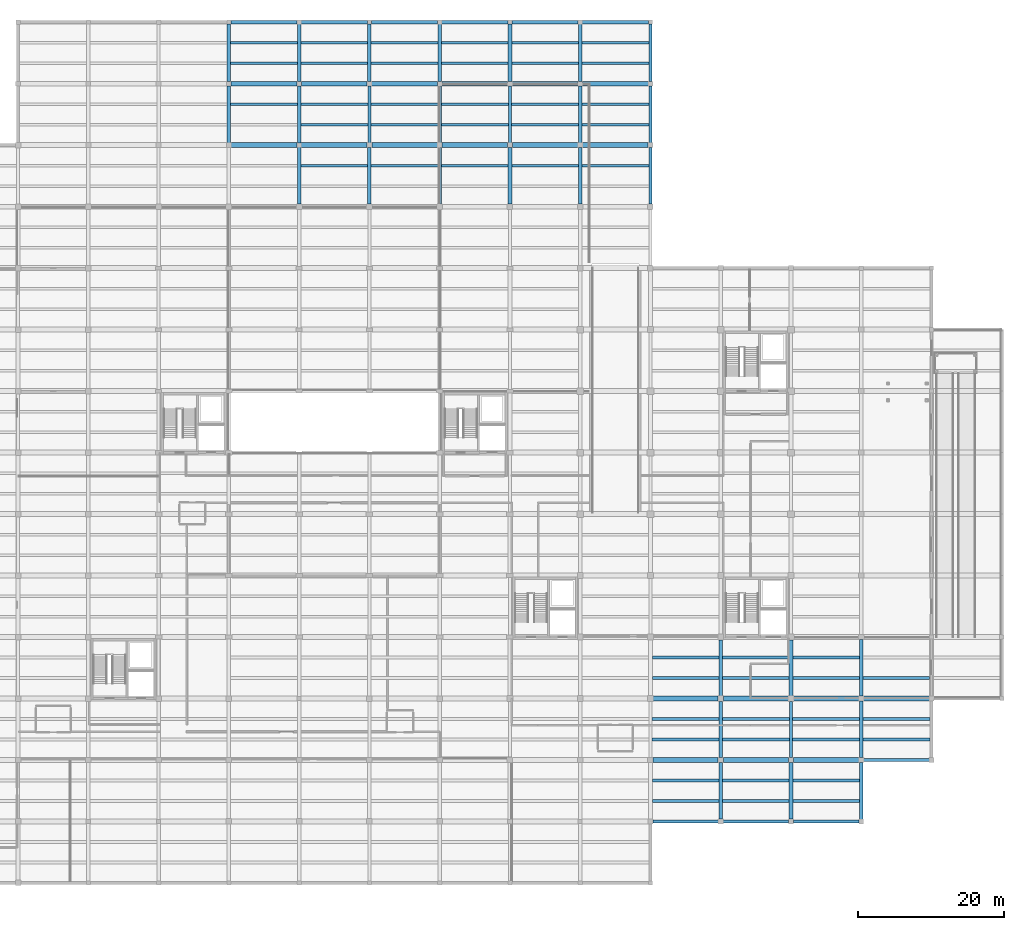
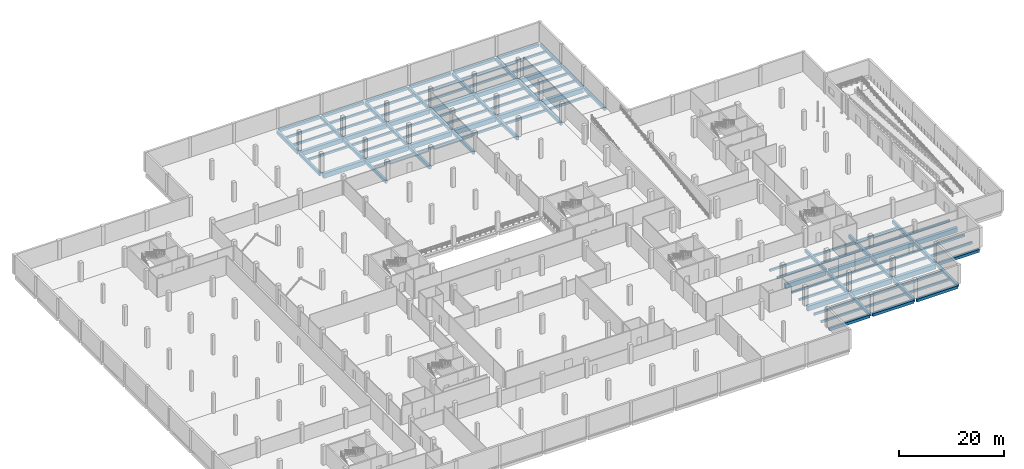
# One storey, part 11 of 30: 107 beams.
"""IFC4 building model written with IfcOpenShell, lengths in metres."""

import ifcopenshell
import ifcopenshell.guid

model = None  # the IFC model being written
_history = None  # IfcOwnerHistory: only IFC2X3 demands one
_inside = {}  # id of a spatial element -> (the spatial element, [elements in it])
_under = {}  # id of a project, library or spatial element -> (it, [spatial elements below it])
_declared = {}  # id of a project -> (the project, [libraries it declares])
_typed = {}  # id of a type object -> (the type object, [elements of that type])
_made_of = {}  # id of a material, layer set ... -> (it, [elements and type objects made of it])


def new_model(schema):
    """Start an empty IFC model of exactly this schema.

    Asked for "IFC4X3", IfcOpenShell would pick the latest addendum, in which some entities
    have other attributes; the version numbers below select the first issue.
    IFC2X3 requires an IfcOwnerHistory on every rooted entity: one is made here for all.
    """
    global model, _history
    if schema == "IFC4X3":
        model = ifcopenshell.file(schema_version=(4, 3, 0, 0))
    else:
        model = ifcopenshell.file(schema=schema)
    _inside.clear()
    _under.clear()
    _declared.clear()
    _typed.clear()
    _made_of.clear()
    _history = None
    if model.schema == "IFC2X3":
        org = make("IfcOrganization", Name="unknown")
        user = make(
            "IfcPersonAndOrganization",
            ThePerson=make("IfcPerson", FamilyName="unknown"),
            TheOrganization=org,
        )
        app = make(
            "IfcApplication",
            ApplicationDeveloper=org,
            Version="unknown",
            ApplicationFullName="unknown",
            ApplicationIdentifier="unknown",
        )
        _history = make(
            "IfcOwnerHistory",
            OwningUser=user,
            OwningApplication=app,
            ChangeAction="ADDED",
            CreationDate=0,
        )
    return model


def make(cls, **values):
    """One entity of the class cls with the attributes given. An attribute that is None is left unset."""
    return model.create_entity(
        cls, **{name: value for name, value in values.items() if value is not None}
    )


def rooted(cls, **values):
    """An entity with a GlobalId (a new one), such as an element, a storey or a relation."""
    return make(cls, GlobalId=ifcopenshell.guid.new(), OwnerHistory=_history, **values)


def si_unit(unit_type, name, prefix=None):
    """IfcSIUnit, for example si_unit("LENGTHUNIT", "METRE", prefix="MILLI")."""
    return make("IfcSIUnit", UnitType=unit_type, Prefix=prefix, Name=name)


def assignment(units):
    """IfcUnitAssignment: the units of a project."""
    return None if units is None else make("IfcUnitAssignment", Units=units)


def point(xyz):
    """IfcCartesianPoint."""
    return None if xyz is None else make("IfcCartesianPoint", Coordinates=xyz)


def direction(xyz):
    """IfcDirection."""
    return None if xyz is None else make("IfcDirection", DirectionRatios=xyz)


def frame(location, z_axis=None, x_axis=None):
    """IfcAxis2Placement3D, a coordinate frame: its origin and axes. An axis left out is left unset."""
    return make(
        "IfcAxis2Placement3D",
        Location=point(location),
        Axis=direction(z_axis),
        RefDirection=direction(x_axis),
    )


def frame_2d(location, x_axis=None):
    """IfcAxis2Placement2D, a coordinate frame in the plane: its origin and x axis."""
    return make(
        "IfcAxis2Placement2D", Location=point(location), RefDirection=direction(x_axis)
    )


def origin():
    """The frame at (0, 0, 0) with its axes left unset."""
    return frame((0.0, 0.0, 0.0))


def origin_2d():
    """The frame at (0, 0) in the plane with its x axis left unset."""
    return frame_2d((0.0, 0.0))


def place(relative_to, where):
    """IfcLocalPlacement: puts the frame where relative to a parent placement (None: the world)."""
    return make(
        "IfcLocalPlacement", PlacementRelTo=relative_to, RelativePlacement=where
    )


def context(
    kind, dimensions, precision=None, world=None, true_north=None, identifier=None
):
    """IfcGeometricRepresentationContext, for example the 3D "Model" context."""
    return make(
        "IfcGeometricRepresentationContext",
        ContextIdentifier=identifier,
        ContextType=kind,
        CoordinateSpaceDimension=dimensions,
        Precision=precision,
        WorldCoordinateSystem=world,
        TrueNorth=true_north,
    )


def subcontext(parent, identifier, kind, view, scale=None):
    """IfcGeometricRepresentationSubContext, for example "Body" below "Model"."""
    return make(
        "IfcGeometricRepresentationSubContext",
        ContextIdentifier=identifier,
        ContextType=kind,
        ParentContext=parent,
        TargetScale=scale,
        TargetView=view,
    )


def project(units=None, contexts=None):
    """IfcProject with its units and contexts."""
    return rooted(
        "IfcProject",
        Name="project",
        RepresentationContexts=contexts,
        UnitsInContext=assignment(units),
    )


def spatial(cls, under=None, at=None, **own):
    """A site, building, storey or space (cls), placed at a placement, below another one or the project."""
    s = rooted(cls, ObjectPlacement=at, **own)
    if under is not None:
        _under.setdefault(under.id(), (under, []))[1].append(s)
    return s


def profile(cls, at=None, kind="AREA", **sizes):
    """A parametric profile (cls). Its sizes go by their IFC names, for example OverallWidth=200.0."""
    return make(cls, ProfileType=kind, Position=at, **sizes)


def rectangle(**sizes):
    """IfcRectangleProfileDef."""
    return profile("IfcRectangleProfileDef", **sizes)


def extrude(swept, where, along, depth):
    """IfcExtrudedAreaSolid: the profile swept, set in the frame where, extruded along a direction by depth."""
    return make(
        "IfcExtrudedAreaSolid",
        SweptArea=swept,
        Position=where,
        ExtrudedDirection=direction(along),
        Depth=depth,
    )


def shape(context_of_items, identifier, shape_type, items):
    """IfcShapeRepresentation: the items that make up one representation, for example the "Body"."""
    return make(
        "IfcShapeRepresentation",
        ContextOfItems=context_of_items,
        RepresentationIdentifier=identifier,
        RepresentationType=shape_type,
        Items=items,
    )


def material(Name=None, Category=None):
    """IfcMaterial."""
    return make("IfcMaterial", Name=Name, Category=Category)


def material_profile(
    of_material, cross_section, Name=None, Category=None, Priority=None
):
    """IfcMaterialProfile: a cross section and its material."""
    return make(
        "IfcMaterialProfile",
        Name=Name,
        Material=of_material,
        Profile=cross_section,
        Priority=Priority,
        Category=Category,
    )


def profile_set(profiles, Name=None, composite=None):
    """IfcMaterialProfileSet."""
    return make(
        "IfcMaterialProfileSet",
        Name=Name,
        MaterialProfiles=profiles,
        CompositeProfile=composite,
    )


def made_of(thing, what):
    """Note that an element or type object is made of a material, layer set ...; save() writes the relation."""
    if what is not None:
        _made_of.setdefault(what.id(), (what, []))[1].append(thing)
    return thing


def type_object(cls, material=None, **own):
    """A type object (cls), such as IfcWallType, which elements share."""
    return made_of(rooted(cls, **own), material)


def element(
    cls,
    number,
    at=None,
    inside=None,
    cuts=None,
    type_object=None,
    material=None,
    context=None,
    identifier="Body",
    shape_type=None,
    held_by="IfcProductDefinitionShape",
    body=None,
    shapes=None,
    **own,
):
    """One element of the class cls, such as IfcWall. Its Tag is "e" and its number.

    at: its placement. inside: the storey or other place that contains it. cuts: it is an
    opening in that element (IfcRelVoidsElement). A single representation is given by context,
    identifier, shape_type and body (its items); several are given by shapes. held_by: the class
    of the entity that holds the representations. save() writes the other relations.
    """
    e = rooted(cls, Tag="e%d" % number, ObjectPlacement=at, **own)
    if body is not None:
        shapes = [shape(context, identifier, shape_type, body)]
    if shapes is not None:
        e.Representation = make(held_by, Representations=shapes)
    if inside is not None:
        _inside.setdefault(inside.id(), (inside, []))[1].append(e)
    if cuts is not None:
        rooted(
            "IfcRelVoidsElement", RelatingBuildingElement=cuts, RelatedOpeningElement=e
        )
    if type_object is not None:
        _typed.setdefault(type_object.id(), (type_object, []))[1].append(e)
    return made_of(e, material)


def aggregate(whole, parts):
    """IfcRelAggregates: a whole, such as a stair, and the parts it consists of."""
    return rooted("IfcRelAggregates", RelatingObject=whole, RelatedObjects=parts)


def save(model, path):
    """Write the relations noted so far, then the file.

    IfcRelAggregates (storeys below a building ...), IfcRelContainedInSpatialStructure (elements
    in a storey), IfcRelDefinesByType, IfcRelAssociatesMaterial and IfcRelDeclares: one each for
    every whole, place, type object, material and project.
    """
    for whole, parts in _under.values():
        aggregate(whole, parts)
    for where, things in _inside.values():
        rooted(
            "IfcRelContainedInSpatialStructure",
            RelatedElements=things,
            RelatingStructure=where,
        )
    for kind, things in _typed.values():
        rooted("IfcRelDefinesByType", RelatedObjects=things, RelatingType=kind)
    for what, things in _made_of.values():
        rooted("IfcRelAssociatesMaterial", RelatedObjects=things, RelatingMaterial=what)
    for by, libraries in _declared.values():
        rooted("IfcRelDeclares", RelatingContext=by, RelatedDefinitions=libraries)
    model.write(path)


model = new_model("IFC4")

# Units and contexts
model_context = context("Model", 3, precision=1e-05, world=origin(), true_north=direction((0.0, 1.0)))
body_context = subcontext(model_context, "Body", "Model", "MODEL_VIEW")
ifc_project = project(units=[si_unit("LENGTHUNIT", "METRE"), si_unit("AREAUNIT", "SQUARE_METRE"), si_unit("VOLUMEUNIT", "CUBIC_METRE"), si_unit("PLANEANGLEUNIT", "RADIAN"), si_unit("MASSUNIT", "GRAM", prefix="KILO")], contexts=[model_context])

# Site, building, storey
site_placement = place(None, origin())
site = spatial("IfcSite", under=ifc_project, at=site_placement, CompositionType="ELEMENT")
building_placement = place(site_placement, origin())
building = spatial("IfcBuilding", under=site, at=building_placement, Name="Lornevale Opera House", CompositionType="ELEMENT")
storey_placement = place(building_placement, frame((0.0, 0.0, -4.800048828125)))
storey = spatial("IfcBuildingStorey", under=building, at=storey_placement, Name="B1", CompositionType="ELEMENT", Elevation=-4.800048828125)

# Beams
ifc_material_1 = material(Name="Concrete 35 MPa (CSA A23.1 N)", Category="concrete")
ifc_material_profile_1 = material_profile(ifc_material_1, rectangle(XDim=0.449951171875, YDim=0.75, at=origin_2d()), Name="RC450x750")
ifc_profile_set_1 = profile_set([ifc_material_profile_1], Name="Concrete 35 MPa (CSA A23.1 N)")
beam_type_1 = type_object("IfcBeamType", Name="Concrete Floor Beam 450x750", PredefinedType="USERDEFINED", material=ifc_profile_set_1)
for number, where, z_axis, x_axis, name in (
    (1, (67.199951171875, 101.125, -0.794921875), (0.0, 1.0, 0.0), (-1.0, 0.0, 0.0), "Concrete Floor Beam 450x750 0336"),
    (2, (76.800048828125, 92.75, -0.794921875), (0.0, 1.0, 0.0), (-1.0, 0.0, 0.0), "Concrete Floor Beam 450x750 0348"),
):
    element("IfcBeam", number, at=place(storey_placement, frame(where, z_axis=z_axis, x_axis=x_axis)), inside=storey, type_object=beam_type_1, Name=name, ObjectType="GIRDER", PredefinedType="USERDEFINED", context=body_context, shape_type="SweptSolid", body=[
        extrude(rectangle(XDim=0.449951171875, YDim=0.75, at=origin_2d()), origin(), (0.0, 0.0, 1.0), 7.77490234375),
    ])
beam_1_placement = place(storey_placement, frame((76.800048828125, 109.5, -0.794921875), z_axis=(0.0, 1.0, 0.0), x_axis=(-1.0, 0.0, 0.0)))
element("IfcBeam", 3, at=beam_1_placement, inside=storey, type_object=beam_type_1, Name="Concrete Floor Beam 450x750 0350", ObjectType="GIRDER", PredefinedType="USERDEFINED", context=body_context, shape_type="SweptSolid", body=[
    extrude(rectangle(XDim=0.449951171875, YDim=0.75, at=origin_2d()), origin(), (0.0, 0.0, 1.0), 7.824951171875),
])
beam_2_placement = place(storey_placement, frame((86.39990234375, 101.125, -0.794921875), z_axis=(0.0, 1.0, 0.0), x_axis=(-1.0, 0.0, 0.0)))
element("IfcBeam", 4, at=beam_2_placement, inside=storey, type_object=beam_type_1, Name="Concrete Floor Beam 450x750 0362", ObjectType="GIRDER", PredefinedType="USERDEFINED", context=body_context, shape_type="SweptSolid", body=[
    extrude(rectangle(XDim=0.449951171875, YDim=0.75, at=origin_2d()), origin(), (0.0, 0.0, 1.0), 7.77490234375),
])
beam_3_placement = place(storey_placement, frame((96.0, 92.75, -0.794921875), z_axis=(0.0, 1.0, 0.0), x_axis=(-1.0, 0.0, 0.0)))
element("IfcBeam", 5, at=beam_3_placement, inside=storey, type_object=beam_type_1, Name="Concrete Floor Beam 450x750 0375", ObjectType="GIRDER", PredefinedType="USERDEFINED", context=body_context, shape_type="SweptSolid", body=[
    extrude(rectangle(XDim=0.449951171875, YDim=0.75, at=origin_2d()), origin(), (0.0, 0.0, 1.0), 7.72509765625),
])
beam_4_placement = place(storey_placement, frame((96.0, 109.5, -0.794921875), z_axis=(0.0, 1.0, 0.0), x_axis=(-1.0, 0.0, 0.0)))
element("IfcBeam", 6, at=beam_4_placement, inside=storey, type_object=beam_type_1, Name="Concrete Floor Beam 450x750 0377", ObjectType="GIRDER", PredefinedType="USERDEFINED", context=body_context, shape_type="SweptSolid", body=[
    extrude(rectangle(XDim=0.449951171875, YDim=0.75, at=origin_2d()), origin(), (0.0, 0.0, 1.0), 7.824951171875),
])
beam_5_placement = place(storey_placement, frame((105.60009765625, 101.125, -0.794921875), z_axis=(0.0, 1.0, 0.0), x_axis=(-1.0, 0.0, 0.0)))
element("IfcBeam", 7, at=beam_5_placement, inside=storey, type_object=beam_type_1, Name="Concrete Floor Beam 450x750 0390", ObjectType="GIRDER", PredefinedType="USERDEFINED", context=body_context, shape_type="SweptSolid", body=[
    extrude(rectangle(XDim=0.449951171875, YDim=0.75, at=origin_2d()), origin(), (0.0, 0.0, 1.0), 7.77490234375),
])
beam_6_placement = place(storey_placement, frame((115.199951171875, 92.75, -0.794921875), z_axis=(0.0, 1.0, 0.0), x_axis=(-1.0, 0.0, 0.0)))
element("IfcBeam", 8, at=beam_6_placement, inside=storey, type_object=beam_type_1, Name="Concrete Floor Beam 450x750 0403", ObjectType="GIRDER", PredefinedType="USERDEFINED", context=body_context, shape_type="SweptSolid", body=[
    extrude(rectangle(XDim=0.449951171875, YDim=0.75, at=origin_2d()), origin(), (0.0, 0.0, 1.0), 7.72509765625),
])
beam_7_placement = place(storey_placement, frame((115.199951171875, 109.5, -0.794921875), z_axis=(0.0, 1.0, 0.0), x_axis=(-1.0, 0.0, 0.0)))
element("IfcBeam", 9, at=beam_7_placement, inside=storey, type_object=beam_type_1, Name="Concrete Floor Beam 450x750 0405", ObjectType="GIRDER", PredefinedType="USERDEFINED", context=body_context, shape_type="SweptSolid", body=[
    extrude(rectangle(XDim=0.449951171875, YDim=0.75, at=origin_2d()), origin(), (0.0, 0.0, 1.0), 7.824951171875),
])
beam_8_placement = place(storey_placement, frame((134.39990234375, 8.72509765625, -0.794921875), z_axis=(0.0, 1.0, 0.0), x_axis=(-1.0, 0.0, 0.0)))
element("IfcBeam", 10, at=beam_8_placement, inside=storey, type_object=beam_type_1, Name="Concrete Floor Beam 450x750 0420", ObjectType="GIRDER", PredefinedType="USERDEFINED", context=body_context, shape_type="SweptSolid", body=[
    extrude(rectangle(XDim=0.449951171875, YDim=0.75, at=origin_2d()), origin(), (0.0, 0.0, 1.0), 7.724853515625),
])
beam_9_placement = place(storey_placement, frame((134.39990234375, 25.574951171875, -0.794921875), z_axis=(0.0, 1.0, 0.0), x_axis=(-1.0, 0.0, 0.0)))
element("IfcBeam", 11, at=beam_9_placement, inside=storey, type_object=beam_type_1, Name="Concrete Floor Beam 450x750 0422", ObjectType="GIRDER", PredefinedType="USERDEFINED", context=body_context, shape_type="SweptSolid", body=[
    extrude(rectangle(XDim=0.449951171875, YDim=0.75, at=origin_2d()), origin(), (0.0, 0.0, 1.0), 7.650146484375),
])
beam_10_placement = place(storey_placement, frame((144.0, 17.14990234375, -0.794921875), z_axis=(0.0, 1.0, 0.0), x_axis=(-1.0, 0.0, 0.0)))
element("IfcBeam", 12, at=beam_10_placement, inside=storey, type_object=beam_type_1, Name="Concrete Floor Beam 450x750 0430", ObjectType="GIRDER", PredefinedType="USERDEFINED", context=body_context, shape_type="SweptSolid", body=[
    extrude(rectangle(XDim=0.449951171875, YDim=0.75, at=origin_2d()), origin(), (0.0, 0.0, 1.0), 7.675048828125),
])
beam_11_placement = place(storey_placement, frame((153.60009765625, 25.52490234375, -0.794921875), z_axis=(0.0, 1.0, 0.0), x_axis=(-1.0, 0.0, 0.0)))
element("IfcBeam", 13, at=beam_11_placement, inside=storey, type_object=beam_type_1, Name="Concrete Floor Beam 450x750 0440", ObjectType="GIRDER", PredefinedType="USERDEFINED", context=body_context, shape_type="SweptSolid", body=[
    extrude(rectangle(XDim=0.449951171875, YDim=0.75, at=origin_2d()), origin(), (0.0, 0.0, 1.0), 7.75),
])
ifc_material_profile_2 = material_profile(ifc_material_1, rectangle(XDim=0.5, YDim=0.800048828125, at=origin_2d()), Name="RC500x800")
ifc_profile_set_2 = profile_set([ifc_material_profile_2], Name="Concrete 35 MPa (CSA A23.1 N)")
beam_type_2 = type_object("IfcBeamType", Name="Concrete Floor Beam 500x800", PredefinedType="USERDEFINED", material=ifc_profile_set_2)
for number, where, z_axis, x_axis, name in (
    (14, (67.199951171875, 109.5, -0.820068359375), (0.0, 1.0, 0.0), (-1.0, 0.0, 0.0), "Concrete Floor Beam 500x800 0337"),
    (15, (76.800048828125, 101.074951171875, -0.820068359375), (0.0, 1.0, 0.0), (-1.0, 0.0, 0.0), "Concrete Floor Beam 500x800 0349"),
):
    element("IfcBeam", number, at=place(storey_placement, frame(where, z_axis=z_axis, x_axis=x_axis)), inside=storey, type_object=beam_type_2, Name=name, ObjectType="GIRDER", PredefinedType="USERDEFINED", context=body_context, shape_type="SweptSolid", body=[
        extrude(rectangle(XDim=0.5, YDim=0.800048828125, at=origin_2d()), origin(), (0.0, 0.0, 1.0), 7.824951171875),
    ])
beam_12_placement = place(storey_placement, frame((86.39990234375, 92.75, -0.820068359375), z_axis=(0.0, 1.0, 0.0), x_axis=(-1.0, 0.0, 0.0)))
element("IfcBeam", 16, at=beam_12_placement, inside=storey, type_object=beam_type_2, Name="Concrete Floor Beam 500x800 0361", ObjectType="GIRDER", PredefinedType="USERDEFINED", context=body_context, shape_type="SweptSolid", body=[
    extrude(rectangle(XDim=0.5, YDim=0.800048828125, at=origin_2d()), origin(), (0.0, 0.0, 1.0), 7.72509765625),
])
beam_13_placement = place(storey_placement, frame((86.39990234375, 109.5, -0.820068359375), z_axis=(0.0, 1.0, 0.0), x_axis=(-1.0, 0.0, 0.0)))
element("IfcBeam", 17, at=beam_13_placement, inside=storey, type_object=beam_type_2, Name="Concrete Floor Beam 500x800 0363", ObjectType="GIRDER", PredefinedType="USERDEFINED", context=body_context, shape_type="SweptSolid", body=[
    extrude(rectangle(XDim=0.5, YDim=0.800048828125, at=origin_2d()), origin(), (0.0, 0.0, 1.0), 7.824951171875),
])
beam_14_placement = place(storey_placement, frame((96.0, 101.125, -0.820068359375), z_axis=(0.0, 1.0, 0.0), x_axis=(-1.0, 0.0, 0.0)))
element("IfcBeam", 18, at=beam_14_placement, inside=storey, type_object=beam_type_2, Name="Concrete Floor Beam 500x800 0376", ObjectType="GIRDER", PredefinedType="USERDEFINED", context=body_context, shape_type="SweptSolid", body=[
    extrude(rectangle(XDim=0.5, YDim=0.800048828125, at=origin_2d()), origin(), (0.0, 0.0, 1.0), 7.77490234375),
])
beam_15_placement = place(storey_placement, frame((105.60009765625, 92.75, -0.820068359375), z_axis=(0.0, 1.0, 0.0), x_axis=(-1.0, 0.0, 0.0)))
element("IfcBeam", 19, at=beam_15_placement, inside=storey, type_object=beam_type_2, Name="Concrete Floor Beam 500x800 0389", ObjectType="GIRDER", PredefinedType="USERDEFINED", context=body_context, shape_type="SweptSolid", body=[
    extrude(rectangle(XDim=0.5, YDim=0.800048828125, at=origin_2d()), origin(), (0.0, 0.0, 1.0), 7.72509765625),
])
beam_16_placement = place(storey_placement, frame((105.60009765625, 109.5, -0.820068359375), z_axis=(0.0, 1.0, 0.0), x_axis=(-1.0, 0.0, 0.0)))
element("IfcBeam", 20, at=beam_16_placement, inside=storey, type_object=beam_type_2, Name="Concrete Floor Beam 500x800 0391", ObjectType="GIRDER", PredefinedType="USERDEFINED", context=body_context, shape_type="SweptSolid", body=[
    extrude(rectangle(XDim=0.5, YDim=0.800048828125, at=origin_2d()), origin(), (0.0, 0.0, 1.0), 7.824951171875),
])
beam_17_placement = place(storey_placement, frame((115.199951171875, 101.125, -0.820068359375), z_axis=(0.0, 1.0, 0.0), x_axis=(-1.0, 0.0, 0.0)))
element("IfcBeam", 21, at=beam_17_placement, inside=storey, type_object=beam_type_2, Name="Concrete Floor Beam 500x800 0404", ObjectType="GIRDER", PredefinedType="USERDEFINED", context=body_context, shape_type="SweptSolid", body=[
    extrude(rectangle(XDim=0.5, YDim=0.800048828125, at=origin_2d()), origin(), (0.0, 0.0, 1.0), 7.77490234375),
])
beam_18_placement = place(storey_placement, frame((134.39990234375, 17.14990234375, -0.820068359375), z_axis=(0.0, 1.0, 0.0), x_axis=(-1.0, 0.0, 0.0)))
element("IfcBeam", 22, at=beam_18_placement, inside=storey, type_object=beam_type_2, Name="Concrete Floor Beam 500x800 0421", ObjectType="GIRDER", PredefinedType="USERDEFINED", context=body_context, shape_type="SweptSolid", body=[
    extrude(rectangle(XDim=0.5, YDim=0.800048828125, at=origin_2d()), origin(), (0.0, 0.0, 1.0), 7.675048828125),
])
beam_19_placement = place(storey_placement, frame((144.0, 8.72509765625, -0.820068359375), z_axis=(0.0, 1.0, 0.0), x_axis=(-1.0, 0.0, 0.0)))
element("IfcBeam", 23, at=beam_19_placement, inside=storey, type_object=beam_type_2, Name="Concrete Floor Beam 500x800 0429", ObjectType="GIRDER", PredefinedType="USERDEFINED", context=body_context, shape_type="SweptSolid", body=[
    extrude(rectangle(XDim=0.5, YDim=0.800048828125, at=origin_2d()), origin(), (0.0, 0.0, 1.0), 7.724853515625),
])
beam_20_placement = place(storey_placement, frame((144.0, 25.574951171875, -0.820068359375), z_axis=(0.0, 1.0, 0.0), x_axis=(-1.0, 0.0, 0.0)))
element("IfcBeam", 24, at=beam_20_placement, inside=storey, type_object=beam_type_2, Name="Concrete Floor Beam 500x800 0431", ObjectType="GIRDER", PredefinedType="USERDEFINED", context=body_context, shape_type="SweptSolid", body=[
    extrude(rectangle(XDim=0.5, YDim=0.800048828125, at=origin_2d()), origin(), (0.0, 0.0, 1.0), 7.650146484375),
])
beam_21_placement = place(storey_placement, frame((153.60009765625, 17.125, -0.820068359375), z_axis=(0.0, 1.0, 0.0), x_axis=(-1.0, 0.0, 0.0)))
element("IfcBeam", 25, at=beam_21_placement, inside=storey, type_object=beam_type_2, Name="Concrete Floor Beam 500x800 0439", ObjectType="GIRDER", PredefinedType="USERDEFINED", context=body_context, shape_type="SweptSolid", body=[
    extrude(rectangle(XDim=0.5, YDim=0.800048828125, at=origin_2d()), origin(), (0.0, 0.0, 1.0), 7.75),
])
ifc_material_2 = material(Name="Concrete 40 MPa (CSA A23.1 C-1)", Category="concrete")
ifc_material_profile_3 = material_profile(ifc_material_2, rectangle(XDim=0.64990234375, YDim=1.0, at=origin_2d()), Name="RC650x1000")
ifc_profile_set_3 = profile_set([ifc_material_profile_3], Name="Concrete 40 MPa (CSA A23.1 C-1)")
beam_type_3 = type_object("IfcBeamType", Name="Concrete Primary Girder 650x1000", PredefinedType="USERDEFINED", material=ifc_profile_set_3)
beam_22_placement = place(storey_placement, frame((125.175048828125, 25.199951171875, -0.919921875), z_axis=(1.0, 0.0, 0.0), x_axis=(0.0, 1.0, 0.0)))
element("IfcBeam", 26, at=beam_22_placement, inside=storey, type_object=beam_type_3, Name="Concrete Primary Girder 650x1000 0060", ObjectType="GIRDER", PredefinedType="USERDEFINED", context=body_context, shape_type="SweptSolid", body=[
    extrude(rectangle(XDim=0.64990234375, YDim=1.0, at=origin_2d()), origin(), (0.0, 0.0, 1.0), 8.849853515625),
])
beam_23_placement = place(storey_placement, frame((134.77490234375, 25.199951171875, -0.919921875), z_axis=(1.0, 0.0, 0.0), x_axis=(0.0, 1.0, 0.0)))
element("IfcBeam", 27, at=beam_23_placement, inside=storey, type_object=beam_type_3, Name="Concrete Primary Girder 650x1000 0061", ObjectType="GIRDER", PredefinedType="USERDEFINED", context=body_context, shape_type="SweptSolid", body=[
    extrude(rectangle(XDim=0.64990234375, YDim=1.0, at=origin_2d()), origin(), (0.0, 0.0, 1.0), 8.85009765625),
])
beam_24_placement = place(storey_placement, frame((144.375, 25.199951171875, -0.919921875), z_axis=(1.0, 0.0, 0.0), x_axis=(0.0, 1.0, 0.0)))
element("IfcBeam", 28, at=beam_24_placement, inside=storey, type_object=beam_type_3, Name="Concrete Primary Girder 650x1000 0062", ObjectType="GIRDER", PredefinedType="USERDEFINED", context=body_context, shape_type="SweptSolid", body=[
    extrude(rectangle(XDim=0.64990234375, YDim=1.0, at=origin_2d()), origin(), (0.0, 0.0, 1.0), 8.89990234375),
])
beam_25_placement = place(storey_placement, frame((153.925048828125, 25.199951171875, -0.919921875), z_axis=(1.0, 0.0, 0.0), x_axis=(0.0, 1.0, 0.0)))
element("IfcBeam", 29, at=beam_25_placement, inside=storey, type_object=beam_type_3, Name="Concrete Primary Girder 650x1000 0063", ObjectType="GIRDER", PredefinedType="USERDEFINED", context=body_context, shape_type="SweptSolid", body=[
    extrude(rectangle(XDim=0.64990234375, YDim=1.0, at=origin_2d()), origin(), (0.0, 0.0, 1.0), 8.974853515625),
])
for number, where, z_axis, x_axis, name in (
    (30, (67.5, 109.199951171875, -0.919921875), (1.0, 0.0, 0.0), (0.0, 1.0, 0.0), "Concrete Primary Girder 650x1000 0219"),
    (31, (77.10009765625, 109.199951171875, -0.919921875), (1.0, 0.0, 0.0), (0.0, 1.0, 0.0), "Concrete Primary Girder 650x1000 0220"),
    (32, (86.699951171875, 109.199951171875, -0.919921875), (1.0, 0.0, 0.0), (0.0, 1.0, 0.0), "Concrete Primary Girder 650x1000 0221"),
    (33, (96.300048828125, 109.199951171875, -0.919921875), (1.0, 0.0, 0.0), (0.0, 1.0, 0.0), "Concrete Primary Girder 650x1000 0222"),
    (34, (105.89990234375, 109.199951171875, -0.919921875), (1.0, 0.0, 0.0), (0.0, 1.0, 0.0), "Concrete Primary Girder 650x1000 0223"),
    (35, (115.5, 109.199951171875, -0.919921875), (1.0, 0.0, 0.0), (0.0, 1.0, 0.0), "Concrete Primary Girder 650x1000 0224"),
):
    element("IfcBeam", number, at=place(storey_placement, frame(where, z_axis=z_axis, x_axis=x_axis)), inside=storey, type_object=beam_type_3, Name=name, ObjectType="GIRDER", PredefinedType="USERDEFINED", context=body_context, shape_type="SweptSolid", body=[
        extrude(rectangle(XDim=0.64990234375, YDim=1.0, at=origin_2d()), origin(), (0.0, 0.0, 1.0), 9.0),
    ])
ifc_material_profile_4 = material_profile(ifc_material_2, rectangle(XDim=0.699951171875, YDim=1.10009765625, at=origin_2d()), Name="RC700x1100")
ifc_profile_set_4 = profile_set([ifc_material_profile_4], Name="Concrete 40 MPa (CSA A23.1 C-1)")
beam_type_4 = type_object("IfcBeamType", Name="Concrete Primary Girder 700x1100", PredefinedType="USERDEFINED", material=ifc_profile_set_4)
beam_26_placement = place(storey_placement, frame((125.14990234375, 16.800048828125, -0.969970703125), z_axis=(1.0, 0.0, 0.0), x_axis=(0.0, 1.0, 0.0)))
element("IfcBeam", 36, at=beam_26_placement, inside=storey, type_object=beam_type_4, Name="Concrete Primary Girder 700x1100 0043", ObjectType="GIRDER", PredefinedType="USERDEFINED", context=body_context, shape_type="SweptSolid", body=[
    extrude(rectangle(XDim=0.699951171875, YDim=1.10009765625, at=origin_2d()), origin(), (0.0, 0.0, 1.0), 8.900146484375),
])
beam_27_placement = place(storey_placement, frame((134.75, 16.800048828125, -0.969970703125), z_axis=(1.0, 0.0, 0.0), x_axis=(0.0, 1.0, 0.0)))
element("IfcBeam", 37, at=beam_27_placement, inside=storey, type_object=beam_type_4, Name="Concrete Primary Girder 700x1100 0044", ObjectType="GIRDER", PredefinedType="USERDEFINED", context=body_context, shape_type="SweptSolid", body=[
    extrude(rectangle(XDim=0.699951171875, YDim=1.10009765625, at=origin_2d()), origin(), (0.0, 0.0, 1.0), 8.89990234375),
])
beam_28_placement = place(storey_placement, frame((144.35009765625, 16.800048828125, -0.969970703125), z_axis=(1.0, 0.0, 0.0), x_axis=(0.0, 1.0, 0.0)))
element("IfcBeam", 38, at=beam_28_placement, inside=storey, type_object=beam_type_4, Name="Concrete Primary Girder 700x1100 0045", ObjectType="GIRDER", PredefinedType="USERDEFINED", context=body_context, shape_type="SweptSolid", body=[
    extrude(rectangle(XDim=0.699951171875, YDim=1.10009765625, at=origin_2d()), origin(), (0.0, 0.0, 1.0), 8.9248046875),
])
for number, where, z_axis, x_axis, name in (
    (39, (67.52490234375, 100.800048828125, -0.969970703125), (1.0, 0.0, 0.0), (0.0, 1.0, 0.0), "Concrete Primary Girder 700x1100 0210"),
    (40, (77.074951171875, 100.800048828125, -0.969970703125), (1.0, 0.0, 0.0), (0.0, 1.0, 0.0), "Concrete Primary Girder 700x1100 0211"),
):
    element("IfcBeam", number, at=place(storey_placement, frame(where, z_axis=z_axis, x_axis=x_axis)), inside=storey, type_object=beam_type_4, Name=name, ObjectType="GIRDER", PredefinedType="USERDEFINED", context=body_context, shape_type="SweptSolid", body=[
        extrude(rectangle(XDim=0.699951171875, YDim=1.10009765625, at=origin_2d()), origin(), (0.0, 0.0, 1.0), 9.0),
    ])
for number, where, z_axis, x_axis, name in (
    (41, (86.72509765625, 100.800048828125, -0.969970703125), (1.0, 0.0, 0.0), (0.0, 1.0, 0.0), "Concrete Primary Girder 700x1100 0212"),
    (42, (96.324951171875, 100.800048828125, -0.969970703125), (1.0, 0.0, 0.0), (0.0, 1.0, 0.0), "Concrete Primary Girder 700x1100 0213"),
    (43, (105.925048828125, 100.800048828125, -0.969970703125), (1.0, 0.0, 0.0), (0.0, 1.0, 0.0), "Concrete Primary Girder 700x1100 0214"),
):
    element("IfcBeam", number, at=place(storey_placement, frame(where, z_axis=z_axis, x_axis=x_axis)), inside=storey, type_object=beam_type_4, Name=name, ObjectType="GIRDER", PredefinedType="USERDEFINED", context=body_context, shape_type="SweptSolid", body=[
        extrude(rectangle(XDim=0.699951171875, YDim=1.10009765625, at=origin_2d()), origin(), (0.0, 0.0, 1.0), 8.949951171875),
    ])
beam_29_placement = place(storey_placement, frame((115.52490234375, 100.800048828125, -0.969970703125), z_axis=(1.0, 0.0, 0.0), x_axis=(0.0, 1.0, 0.0)))
element("IfcBeam", 44, at=beam_29_placement, inside=storey, type_object=beam_type_4, Name="Concrete Primary Girder 700x1100 0215", ObjectType="GIRDER", PredefinedType="USERDEFINED", context=body_context, shape_type="SweptSolid", body=[
    extrude(rectangle(XDim=0.699951171875, YDim=1.10009765625, at=origin_2d()), origin(), (0.0, 0.0, 1.0), 8.9501953125),
])
ifc_material_profile_5 = material_profile(ifc_material_1, rectangle(XDim=0.35009765625, YDim=0.5, at=origin_2d()), Name="RC350x500")
ifc_profile_set_5 = profile_set([ifc_material_profile_5], Name="Concrete 35 MPa (CSA A23.1 N)")
beam_type_5 = type_object("IfcBeamType", Name="Concrete Secondary Rib 350x500", PredefinedType="JOIST", material=ifc_profile_set_5)
for number, where, z_axis, x_axis, name in (
    (45, (67.425048828125, 106.39990234375, -0.669921875), (1.0, 0.0, 0.0), (0.0, 1.0, 0.0), "Concrete Secondary Rib 350x500 0654"),
    (46, (67.449951171875, 112.0, -0.669921875), (1.0, 0.0, 0.0), (0.0, 1.0, 0.0), "Concrete Secondary Rib 350x500 0655"),
    (47, (67.449951171875, 114.800048828125, -0.669921875), (1.0, 0.0, 0.0), (0.0, 1.0, 0.0), "Concrete Secondary Rib 350x500 0656"),
    (48, (77.02490234375, 98.0, -0.669921875), (1.0, 0.0, 0.0), (0.0, 1.0, 0.0), "Concrete Secondary Rib 350x500 0678"),
    (49, (77.050048828125, 103.60009765625, -0.669921875), (1.0, 0.0, 0.0), (0.0, 1.0, 0.0), "Concrete Secondary Rib 350x500 0679"),
    (50, (77.050048828125, 106.39990234375, -0.669921875), (1.0, 0.0, 0.0), (0.0, 1.0, 0.0), "Concrete Secondary Rib 350x500 0680"),
    (51, (77.02490234375, 112.0, -0.669921875), (1.0, 0.0, 0.0), (0.0, 1.0, 0.0), "Concrete Secondary Rib 350x500 0681"),
    (52, (77.02490234375, 114.800048828125, -0.669921875), (1.0, 0.0, 0.0), (0.0, 1.0, 0.0), "Concrete Secondary Rib 350x500 0682"),
    (53, (86.64990234375, 98.0, -0.669921875), (1.0, 0.0, 0.0), (0.0, 1.0, 0.0), "Concrete Secondary Rib 350x500 0704"),
    (54, (86.625, 103.60009765625, -0.669921875), (1.0, 0.0, 0.0), (0.0, 1.0, 0.0), "Concrete Secondary Rib 350x500 0705"),
    (55, (86.625, 106.39990234375, -0.669921875), (1.0, 0.0, 0.0), (0.0, 1.0, 0.0), "Concrete Secondary Rib 350x500 0706"),
    (56, (86.64990234375, 112.0, -0.669921875), (1.0, 0.0, 0.0), (0.0, 1.0, 0.0), "Concrete Secondary Rib 350x500 0707"),
    (57, (86.64990234375, 114.800048828125, -0.669921875), (1.0, 0.0, 0.0), (0.0, 1.0, 0.0), "Concrete Secondary Rib 350x500 0708"),
    (58, (96.22509765625, 98.0, -0.669921875), (1.0, 0.0, 0.0), (0.0, 1.0, 0.0), "Concrete Secondary Rib 350x500 0730"),
    (59, (96.25, 103.60009765625, -0.669921875), (1.0, 0.0, 0.0), (0.0, 1.0, 0.0), "Concrete Secondary Rib 350x500 0731"),
    (60, (96.25, 106.39990234375, -0.669921875), (1.0, 0.0, 0.0), (0.0, 1.0, 0.0), "Concrete Secondary Rib 350x500 0732"),
    (61, (96.22509765625, 112.0, -0.669921875), (1.0, 0.0, 0.0), (0.0, 1.0, 0.0), "Concrete Secondary Rib 350x500 0733"),
    (62, (96.22509765625, 114.800048828125, -0.669921875), (1.0, 0.0, 0.0), (0.0, 1.0, 0.0), "Concrete Secondary Rib 350x500 0734"),
    (63, (105.85009765625, 98.0, -0.669921875), (1.0, 0.0, 0.0), (0.0, 1.0, 0.0), "Concrete Secondary Rib 350x500 0756"),
    (64, (105.824951171875, 103.60009765625, -0.669921875), (1.0, 0.0, 0.0), (0.0, 1.0, 0.0), "Concrete Secondary Rib 350x500 0757"),
    (65, (105.824951171875, 106.39990234375, -0.669921875), (1.0, 0.0, 0.0), (0.0, 1.0, 0.0), "Concrete Secondary Rib 350x500 0758"),
    (66, (105.85009765625, 112.0, -0.669921875), (1.0, 0.0, 0.0), (0.0, 1.0, 0.0), "Concrete Secondary Rib 350x500 0759"),
    (67, (105.85009765625, 114.800048828125, -0.669921875), (1.0, 0.0, 0.0), (0.0, 1.0, 0.0), "Concrete Secondary Rib 350x500 0760"),
):
    element("IfcBeam", number, at=place(storey_placement, frame(where, z_axis=z_axis, x_axis=x_axis)), inside=storey, type_object=beam_type_5, Name=name, PredefinedType="JOIST", context=body_context, shape_type="SweptSolid", body=[
        extrude(rectangle(XDim=0.35009765625, YDim=0.5, at=origin_2d()), origin(), (0.0, 0.0, 1.0), 9.125),
    ])
beam_30_placement = place(storey_placement, frame((115.425048828125, 98.0, -0.669921875), z_axis=(1.0, 0.0, 0.0), x_axis=(0.0, 1.0, 0.0)))
element("IfcBeam", 68, at=beam_30_placement, inside=storey, type_object=beam_type_5, Name="Concrete Secondary Rib 350x500 0776", PredefinedType="JOIST", context=body_context, shape_type="SweptSolid", body=[
    extrude(rectangle(XDim=0.35009765625, YDim=0.5, at=origin_2d()), origin(), (0.0, 0.0, 1.0), 9.14990234375),
])
for number, where, z_axis, x_axis, name in (
    (69, (115.449951171875, 103.60009765625, -0.669921875), (1.0, 0.0, 0.0), (0.0, 1.0, 0.0), "Concrete Secondary Rib 350x500 0777"),
    (70, (115.449951171875, 106.39990234375, -0.669921875), (1.0, 0.0, 0.0), (0.0, 1.0, 0.0), "Concrete Secondary Rib 350x500 0778"),
):
    element("IfcBeam", number, at=place(storey_placement, frame(where, z_axis=z_axis, x_axis=x_axis)), inside=storey, type_object=beam_type_5, Name=name, PredefinedType="JOIST", context=body_context, shape_type="SweptSolid", body=[
        extrude(rectangle(XDim=0.35009765625, YDim=0.5, at=origin_2d()), origin(), (0.0, 0.0, 1.0), 9.125),
    ])
for number, where, z_axis, x_axis, name in (
    (71, (115.425048828125, 112.0, -0.669921875), (1.0, 0.0, 0.0), (0.0, 1.0, 0.0), "Concrete Secondary Rib 350x500 0779"),
    (72, (115.425048828125, 114.800048828125, -0.669921875), (1.0, 0.0, 0.0), (0.0, 1.0, 0.0), "Concrete Secondary Rib 350x500 0780"),
):
    element("IfcBeam", number, at=place(storey_placement, frame(where, z_axis=z_axis, x_axis=x_axis)), inside=storey, type_object=beam_type_5, Name=name, PredefinedType="JOIST", context=body_context, shape_type="SweptSolid", body=[
        extrude(rectangle(XDim=0.35009765625, YDim=0.5, at=origin_2d()), origin(), (0.0, 0.0, 1.0), 9.14990234375),
    ])
for number, where, z_axis, x_axis, name in (
    (73, (125.050048828125, 11.199951171875, -0.669921875), (1.0, 0.0, 0.0), (0.0, 1.0, 0.0), "Concrete Secondary Rib 350x500 0781"),
    (74, (125.050048828125, 14.0, -0.669921875), (1.0, 0.0, 0.0), (0.0, 1.0, 0.0), "Concrete Secondary Rib 350x500 0782"),
    (75, (125.02490234375, 19.60009765625, -0.669921875), (1.0, 0.0, 0.0), (0.0, 1.0, 0.0), "Concrete Secondary Rib 350x500 0783"),
    (76, (125.02490234375, 22.39990234375, -0.669921875), (1.0, 0.0, 0.0), (0.0, 1.0, 0.0), "Concrete Secondary Rib 350x500 0784"),
    (77, (125.050048828125, 28.0, -0.669921875), (1.0, 0.0, 0.0), (0.0, 1.0, 0.0), "Concrete Secondary Rib 350x500 0785"),
    (78, (125.050048828125, 30.800048828125, -0.669921875), (1.0, 0.0, 0.0), (0.0, 1.0, 0.0), "Concrete Secondary Rib 350x500 0786"),
    (79, (134.625, 11.199951171875, -0.669921875), (1.0, 0.0, 0.0), (0.0, 1.0, 0.0), "Concrete Secondary Rib 350x500 0799"),
    (80, (134.625, 14.0, -0.669921875), (1.0, 0.0, 0.0), (0.0, 1.0, 0.0), "Concrete Secondary Rib 350x500 0800"),
    (81, (134.64990234375, 19.60009765625, -0.669921875), (1.0, 0.0, 0.0), (0.0, 1.0, 0.0), "Concrete Secondary Rib 350x500 0801"),
    (82, (134.64990234375, 22.39990234375, -0.669921875), (1.0, 0.0, 0.0), (0.0, 1.0, 0.0), "Concrete Secondary Rib 350x500 0802"),
    (83, (134.625, 28.0, -0.669921875), (1.0, 0.0, 0.0), (0.0, 1.0, 0.0), "Concrete Secondary Rib 350x500 0803"),
    (84, (134.625, 30.800048828125, -0.669921875), (1.0, 0.0, 0.0), (0.0, 1.0, 0.0), "Concrete Secondary Rib 350x500 0804"),
    (85, (144.25, 11.199951171875, -0.669921875), (1.0, 0.0, 0.0), (0.0, 1.0, 0.0), "Concrete Secondary Rib 350x500 0813"),
    (86, (144.25, 14.0, -0.669921875), (1.0, 0.0, 0.0), (0.0, 1.0, 0.0), "Concrete Secondary Rib 350x500 0814"),
    (87, (144.22509765625, 19.60009765625, -0.669921875), (1.0, 0.0, 0.0), (0.0, 1.0, 0.0), "Concrete Secondary Rib 350x500 0815"),
    (88, (144.22509765625, 22.39990234375, -0.669921875), (1.0, 0.0, 0.0), (0.0, 1.0, 0.0), "Concrete Secondary Rib 350x500 0816"),
    (89, (144.25, 28.0, -0.669921875), (1.0, 0.0, 0.0), (0.0, 1.0, 0.0), "Concrete Secondary Rib 350x500 0817"),
    (90, (144.25, 30.800048828125, -0.669921875), (1.0, 0.0, 0.0), (0.0, 1.0, 0.0), "Concrete Secondary Rib 350x500 0818"),
    (91, (153.85009765625, 19.60009765625, -0.669921875), (1.0, 0.0, 0.0), (0.0, 1.0, 0.0), "Concrete Secondary Rib 350x500 0831"),
    (92, (153.85009765625, 22.39990234375, -0.669921875), (1.0, 0.0, 0.0), (0.0, 1.0, 0.0), "Concrete Secondary Rib 350x500 0832"),
    (93, (153.824951171875, 28.0, -0.669921875), (1.0, 0.0, 0.0), (0.0, 1.0, 0.0), "Concrete Secondary Rib 350x500 0833"),
):
    element("IfcBeam", number, at=place(storey_placement, frame(where, z_axis=z_axis, x_axis=x_axis)), inside=storey, type_object=beam_type_5, Name=name, PredefinedType="JOIST", context=body_context, shape_type="SweptSolid", body=[
        extrude(rectangle(XDim=0.35009765625, YDim=0.5, at=origin_2d()), origin(), (0.0, 0.0, 1.0), 9.125),
    ])
ifc_material_profile_6 = material_profile(ifc_material_1, rectangle(XDim=0.449951171875, YDim=0.64990234375, at=origin_2d()), Name="RC450x650")
ifc_profile_set_6 = profile_set([ifc_material_profile_6], Name="Concrete 35 MPa (CSA A23.1 N)")
beam_type_6 = type_object("IfcBeamType", Name="Concrete Spandrel Beam 450x650", PredefinedType="SPANDREL", material=ifc_profile_set_6)
for number, where, z_axis, x_axis, name in (
    (94, (125.125, 8.39990234375, -0.744873046875), (1.0, 0.0, 0.0), (0.0, 1.0, 0.0), "Concrete Spandrel Beam 450x650 0027"),
    (95, (134.72509765625, 8.39990234375, -0.744873046875), (1.0, 0.0, 0.0), (0.0, 1.0, 0.0), "Concrete Spandrel Beam 450x650 0028"),
):
    element("IfcBeam", number, at=place(storey_placement, frame(where, z_axis=z_axis, x_axis=x_axis)), inside=storey, type_object=beam_type_6, Name=name, PredefinedType="SPANDREL", context=body_context, shape_type="SweptSolid", body=[
        extrude(rectangle(XDim=0.449951171875, YDim=0.64990234375, at=origin_2d()), origin(), (0.0, 0.0, 1.0), 8.949951171875),
    ])
beam_31_placement = place(storey_placement, frame((144.324951171875, 8.39990234375, -0.744873046875), z_axis=(1.0, 0.0, 0.0), x_axis=(0.0, 1.0, 0.0)))
element("IfcBeam", 96, at=beam_31_placement, inside=storey, type_object=beam_type_6, Name="Concrete Spandrel Beam 450x650 0029", PredefinedType="SPANDREL", context=body_context, shape_type="SweptSolid", body=[
    extrude(rectangle(XDim=0.449951171875, YDim=0.64990234375, at=origin_2d()), origin(), (0.0, 0.0, 1.0), 8.97509765625),
])
beam_32_placement = place(storey_placement, frame((153.925048828125, 16.800048828125, -0.744873046875), z_axis=(1.0, 0.0, 0.0), x_axis=(0.0, 1.0, 0.0)))
element("IfcBeam", 97, at=beam_32_placement, inside=storey, type_object=beam_type_6, Name="Concrete Spandrel Beam 450x650 0046", PredefinedType="SPANDREL", context=body_context, shape_type="SweptSolid", body=[
    extrude(rectangle(XDim=0.449951171875, YDim=0.64990234375, at=origin_2d()), origin(), (0.0, 0.0, 1.0), 8.974853515625),
])
beam_33_placement = place(storey_placement, frame((67.47509765625, 117.60009765625, -0.744873046875), z_axis=(1.0, 0.0, 0.0), x_axis=(0.0, 1.0, 0.0)))
element("IfcBeam", 98, at=beam_33_placement, inside=storey, type_object=beam_type_6, Name="Concrete Spandrel Beam 450x650 0228", PredefinedType="SPANDREL", context=body_context, shape_type="SweptSolid", body=[
    extrude(rectangle(XDim=0.449951171875, YDim=0.64990234375, at=origin_2d()), origin(), (0.0, 0.0, 1.0), 9.0498046875),
])
for number, where, z_axis, x_axis, name in (
    (99, (77.074951171875, 117.60009765625, -0.744873046875), (1.0, 0.0, 0.0), (0.0, 1.0, 0.0), "Concrete Spandrel Beam 450x650 0229"),
    (100, (86.675048828125, 117.60009765625, -0.744873046875), (1.0, 0.0, 0.0), (0.0, 1.0, 0.0), "Concrete Spandrel Beam 450x650 0230"),
    (101, (96.27490234375, 117.60009765625, -0.744873046875), (1.0, 0.0, 0.0), (0.0, 1.0, 0.0), "Concrete Spandrel Beam 450x650 0231"),
    (102, (105.875, 117.60009765625, -0.744873046875), (1.0, 0.0, 0.0), (0.0, 1.0, 0.0), "Concrete Spandrel Beam 450x650 0232"),
):
    element("IfcBeam", number, at=place(storey_placement, frame(where, z_axis=z_axis, x_axis=x_axis)), inside=storey, type_object=beam_type_6, Name=name, PredefinedType="SPANDREL", context=body_context, shape_type="SweptSolid", body=[
        extrude(rectangle(XDim=0.449951171875, YDim=0.64990234375, at=origin_2d()), origin(), (0.0, 0.0, 1.0), 9.050048828125),
    ])
beam_34_placement = place(storey_placement, frame((115.47509765625, 117.60009765625, -0.744873046875), z_axis=(1.0, 0.0, 0.0), x_axis=(0.0, 1.0, 0.0)))
element("IfcBeam", 103, at=beam_34_placement, inside=storey, type_object=beam_type_6, Name="Concrete Spandrel Beam 450x650 0233", PredefinedType="SPANDREL", context=body_context, shape_type="SweptSolid", body=[
    extrude(rectangle(XDim=0.449951171875, YDim=0.64990234375, at=origin_2d()), origin(), (0.0, 0.0, 1.0), 9.0498046875),
])
beam_35_placement = place(storey_placement, frame((124.800048828125, 92.75, -0.744873046875), z_axis=(0.0, 1.0, 0.0), x_axis=(-1.0, 0.0, 0.0)))
element("IfcBeam", 104, at=beam_35_placement, inside=storey, type_object=beam_type_6, Name="Concrete Spandrel Beam 450x650 0417", PredefinedType="SPANDREL", context=body_context, shape_type="SweptSolid", body=[
    extrude(rectangle(XDim=0.449951171875, YDim=0.64990234375, at=origin_2d()), origin(), (0.0, 0.0, 1.0), 7.72509765625),
])
beam_36_placement = place(storey_placement, frame((124.800048828125, 101.125, -0.744873046875), z_axis=(0.0, 1.0, 0.0), x_axis=(-1.0, 0.0, 0.0)))
element("IfcBeam", 105, at=beam_36_placement, inside=storey, type_object=beam_type_6, Name="Concrete Spandrel Beam 450x650 0418", PredefinedType="SPANDREL", context=body_context, shape_type="SweptSolid", body=[
    extrude(rectangle(XDim=0.449951171875, YDim=0.64990234375, at=origin_2d()), origin(), (0.0, 0.0, 1.0), 7.77490234375),
])
beam_37_placement = place(storey_placement, frame((124.800048828125, 109.5, -0.744873046875), z_axis=(0.0, 1.0, 0.0), x_axis=(-1.0, 0.0, 0.0)))
element("IfcBeam", 106, at=beam_37_placement, inside=storey, type_object=beam_type_6, Name="Concrete Spandrel Beam 450x650 0419", PredefinedType="SPANDREL", context=body_context, shape_type="SweptSolid", body=[
    extrude(rectangle(XDim=0.449951171875, YDim=0.64990234375, at=origin_2d()), origin(), (0.0, 0.0, 1.0), 7.824951171875),
])
beam_38_placement = place(storey_placement, frame((153.60009765625, 8.699951171875, -0.744873046875), z_axis=(0.0, 1.0, 0.0), x_axis=(-1.0, 0.0, 0.0)))
element("IfcBeam", 107, at=beam_38_placement, inside=storey, type_object=beam_type_6, Name="Concrete Spandrel Beam 450x650 0438", PredefinedType="SPANDREL", context=body_context, shape_type="SweptSolid", body=[
    extrude(rectangle(XDim=0.449951171875, YDim=0.64990234375, at=origin_2d()), origin(), (0.0, 0.0, 1.0), 7.775146484375),
])

save(model, "model.ifc")
